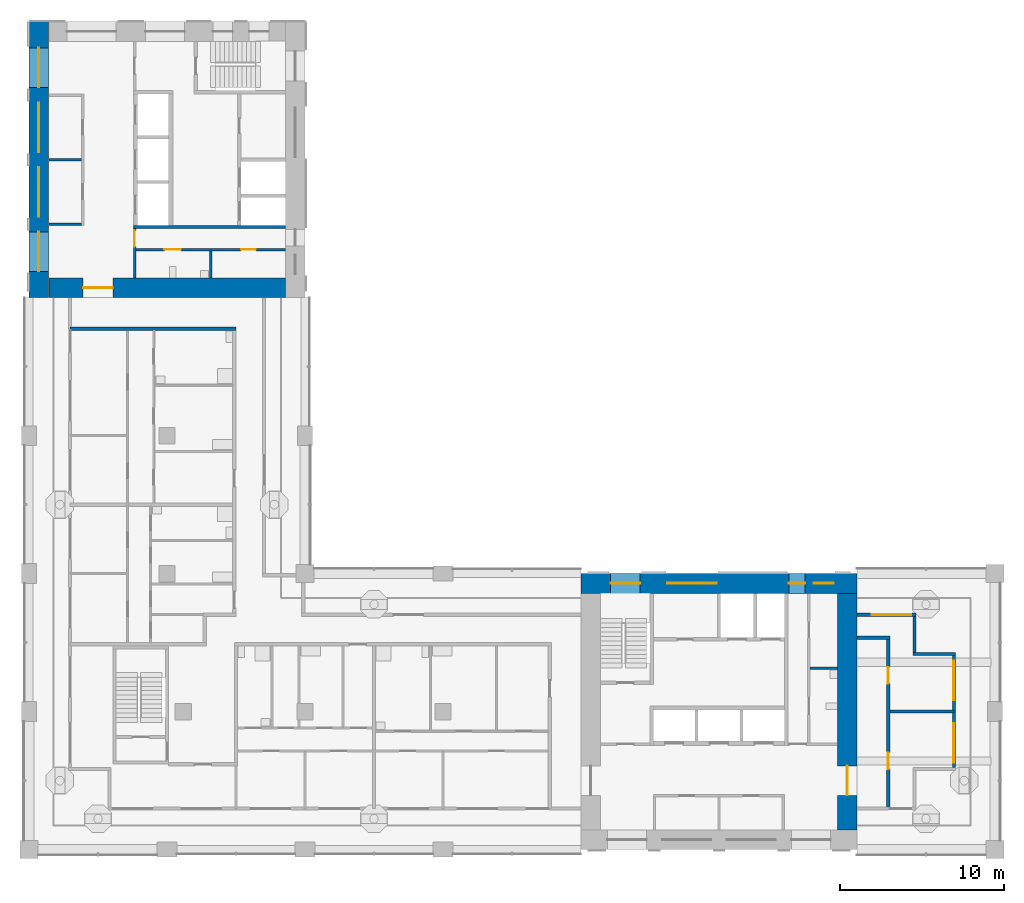
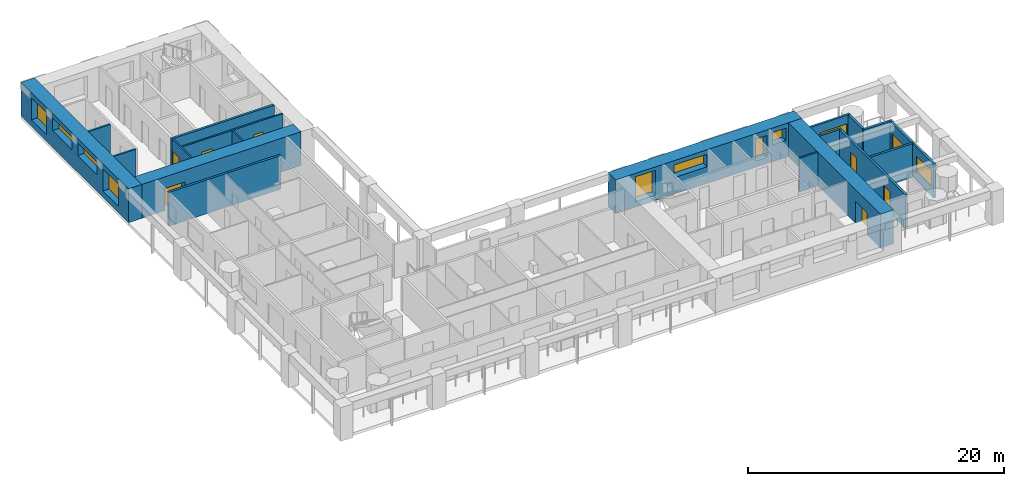
# One storey, part 5 of 13: 19 walls, 10 windows, 8 doors, 18 openings.
"""IFC4 building model written with IfcOpenShell, lengths in metres."""

from ifc_helpers import new_model, si_unit, direction, frame, frame_2d, origin, place, context, subcontext, project, spatial, rectangle, extrude, material, layer, layer_set, type_object, element, fill, save


model = new_model("IFC4")

# Units and contexts
model_context = context("Model", 3, precision=1e-05, world=origin(), true_north=direction((0.0, 1.0)))
body_context = subcontext(model_context, "Body", "Model", "MODEL_VIEW")
ifc_project = project(units=[si_unit("LENGTHUNIT", "METRE"), si_unit("AREAUNIT", "SQUARE_METRE"), si_unit("VOLUMEUNIT", "CUBIC_METRE"), si_unit("PLANEANGLEUNIT", "RADIAN"), si_unit("MASSUNIT", "GRAM", prefix="KILO")], contexts=[model_context])

# Site, building, storey
site_placement = place(None, origin())
site = spatial("IfcSite", under=ifc_project, at=site_placement, CompositionType="ELEMENT")
building_placement = place(site_placement, origin())
building = spatial("IfcBuilding", under=site, at=building_placement, Name="Vermilion Gate Residences", CompositionType="ELEMENT")
storey_placement = place(building_placement, frame((0.0, 0.0, 179.199951171875)))
storey = spatial("IfcBuildingStorey", under=building, at=storey_placement, Name="L46", CompositionType="ELEMENT", Elevation=179.199951171875)

# Walls
ifc_material_1 = material(Name="Masonry blockwork", Category="masonry")
ifc_layer_1 = layer(ifc_material_1, 0.14990234375)
ifc_layer_set_1 = layer_set([ifc_layer_1], Name="BLOCKWORK PARTITION 150 EI 120")
wall_type_1 = type_object("IfcWallType", Name="BLOCKWORK PARTITION 150 EI 120", PredefinedType="PARTITIONING", material=ifc_layer_set_1)
wall_1_placement = place(storey_placement, frame((55.949951171875, 19.449951171875, 0.0), z_axis=(0.0, 0.0, 1.0), x_axis=(1.0, 0.0, 0.0)))
element("IfcWall", 1, at=wall_1_placement, inside=storey, type_object=wall_type_1, Name="Core room partition A46-ES-P0", PredefinedType="PARTITIONING", context=body_context, shape_type="SweptSolid", body=[
    extrude(rectangle(XDim=1.650146484375, YDim=0.14990234375, at=frame_2d((0.8251953125, 0.0))), origin(), (0.0, 0.0, 1.0), 3.219970703125),
])
for number, where, z_axis, x_axis, name in (
    (2, (9.60009765625, 46.47509765625, 0.0), (0.0, 0.0, 1.0), (1.0, 0.0, 0.0), "Core room partition B46-RW-E"),
    (3, (9.60009765625, 50.39990234375, 0.0), (0.0, 0.0, 1.0), (1.0, 0.0, 0.0), "Core room partition B46-SR-P0"),
):
    element("IfcWall", number, at=place(storey_placement, frame(where, z_axis=z_axis, x_axis=x_axis)), inside=storey, type_object=wall_type_1, Name=name, PredefinedType="PARTITIONING", context=body_context, shape_type="SweptSolid", body=[
        extrude(rectangle(XDim=2.0, YDim=0.14990234375, at=frame_2d((1.0, 0.0))), origin(), (0.0, 0.0, 1.0), 3.219970703125),
    ])

# Wall, opening, door
wall_2_placement = place(storey_placement, frame((14.824951171875, 46.199951171875, 0.0), z_axis=(0.0, 0.0, 1.0), x_axis=(0.0, -1.0, 0.0)))
wall_2 = element("IfcWall", 4, at=wall_2_placement, inside=storey, type_object=wall_type_1, Name="Core room partition B46-ES-S", PredefinedType="PARTITIONING", context=body_context, shape_type="SweptSolid", body=[
    extrude(rectangle(XDim=3.0, YDim=0.14990234375, at=frame_2d((1.5, 0.0))), origin(), (0.0, 0.0, 1.0), 3.219970703125),
])
opening_1_placement = place(wall_2_placement, frame((0.10009765625, 0.0, 0.0)))
opening_1 = element("IfcOpeningElement", 5, at=opening_1_placement, cuts=wall_2, Name="Opening DK46112", PredefinedType="OPENING", context=body_context, shape_type="SweptSolid", body=[
    extrude(rectangle(XDim=1.0, YDim=2.10009765625, at=frame_2d((0.5, 1.050048828125))), frame((0.0, 0.0849609375, 0.0), z_axis=(0.0, -1.0, 0.0), x_axis=(1.0, 0.0, 0.0)), (0.0, 0.0, 1.0), 0.169921875),
])
ifc_material_2 = material(Name="Steel", Category="steel")
door_type_1 = type_object("IfcDoorType", Name="FIRE DOOR FD60 1000 X 2100", OperationType="SINGLE_SWING_LEFT", PredefinedType="DOOR", material=ifc_material_2)
door_1_placement = place(opening_1_placement, frame((1.0, 0.0, 0.0), z_axis=(0.0, 0.0, 1.0), x_axis=(-1.0, 0.0, 0.0)))
door_1 = element("IfcDoor", 6, at=door_1_placement, inside=storey, type_object=door_type_1, Name="Service corridor door B46", OperationType="SINGLE_SWING_LEFT", OverallHeight=2.10009765625, OverallWidth=1.0, PredefinedType="DOOR", context=body_context, shape_type="SweptSolid", body=[
    extrude(rectangle(XDim=1.0, YDim=2.10009765625, at=frame_2d((0.5, 1.050048828125))), frame((0.0, 0.02490234375, 0.0), z_axis=(0.0, -1.0, 0.0), x_axis=(1.0, 0.0, 0.0)), (0.0, 0.0, 1.0), 0.050048828125),
])
fill(opening_1, door_1)

# Wall
wall_3_placement = place(storey_placement, frame((19.449951171875, 44.85009765625, 0.0), z_axis=(0.0, 0.0, 1.0), x_axis=(0.0, -1.0, 0.0)))
element("IfcWall", 7, at=wall_3_placement, inside=storey, type_object=wall_type_1, Name="Core room partition B46-ES-P0", PredefinedType="PARTITIONING", context=body_context, shape_type="SweptSolid", body=[
    extrude(rectangle(XDim=1.650146484375, YDim=0.14990234375, at=frame_2d((0.8251953125, 0.0))), origin(), (0.0, 0.0, 1.0), 3.219970703125),
])

# Wall, openings, doors
wall_4_placement = place(storey_placement, frame((14.89990234375, 44.925048828125, 0.0), z_axis=(0.0, 0.0, 1.0), x_axis=(1.0, 0.0, 0.0)))
wall_4 = element("IfcWall", 8, at=wall_4_placement, inside=storey, type_object=wall_type_1, Name="Core room partition B46-ES-W", PredefinedType="PARTITIONING", context=body_context, shape_type="SweptSolid", body=[
    extrude(rectangle(XDim=9.10009765625, YDim=0.14990234375, at=frame_2d((4.550048828125, 0.0))), origin(), (0.0, 0.0, 1.0), 3.219970703125),
])
opening_2_placement = place(wall_4_placement, frame((1.737548828125, 0.0, 0.0)))
opening_2 = element("IfcOpeningElement", 9, at=opening_2_placement, cuts=wall_4, Name="Opening DK46113", PredefinedType="OPENING", context=body_context, shape_type="SweptSolid", body=[
    extrude(rectangle(XDim=1.0, YDim=2.10009765625, at=frame_2d((0.5, 1.050048828125))), frame((0.0, 0.0849609375, 0.0), z_axis=(0.0, -1.0, 0.0), x_axis=(1.0, 0.0, 0.0)), (0.0, 0.0, 1.0), 0.169921875),
])
opening_3_placement = place(wall_4_placement, frame((6.41259765625, 0.0, 0.0)))
opening_3 = element("IfcOpeningElement", 10, at=opening_3_placement, cuts=wall_4, Name="Opening DK46114", PredefinedType="OPENING", context=body_context, shape_type="SweptSolid", body=[
    extrude(rectangle(XDim=0.89990234375, YDim=2.10009765625, at=frame_2d((0.449951171875, 1.050048828125))), frame((0.0, 0.0849609375, 0.0), z_axis=(0.0, -1.0, 0.0), x_axis=(1.0, 0.0, 0.0)), (0.0, 0.0, 1.0), 0.169921875),
])
door_2_placement = place(opening_2_placement, frame((1.0, 0.0, 0.0), z_axis=(0.0, 0.0, 1.0), x_axis=(-1.0, 0.0, 0.0)))
door_2 = element("IfcDoor", 11, at=door_2_placement, inside=storey, type_object=door_type_1, Name="Accessible WC B46", OperationType="SINGLE_SWING_RIGHT", OverallHeight=2.10009765625, OverallWidth=1.0, PredefinedType="DOOR", context=body_context, shape_type="SweptSolid", body=[
    extrude(rectangle(XDim=1.0, YDim=2.10009765625, at=frame_2d((0.5, 1.050048828125))), frame((0.0, 0.02490234375, 0.0), z_axis=(0.0, -1.0, 0.0), x_axis=(1.0, 0.0, 0.0)), (0.0, 0.0, 1.0), 0.050048828125),
])
fill(opening_2, door_2)
ifc_material_3 = material(Name="Steel", Category="steel")
door_type_2 = type_object("IfcDoorType", Name="SERVICE ROOM DOOR FD60 900 X 2100", OperationType="SINGLE_SWING_LEFT", PredefinedType="DOOR", material=ifc_material_3)
door_3_placement = place(opening_3_placement, frame((0.89990234375, 0.0, 0.0), z_axis=(0.0, 0.0, 1.0), x_axis=(-1.0, 0.0, 0.0)))
door_3 = element("IfcDoor", 12, at=door_3_placement, inside=storey, type_object=door_type_2, Name="Communications room B46", OperationType="SINGLE_SWING_RIGHT", OverallHeight=2.10009765625, OverallWidth=0.89990234375, PredefinedType="DOOR", context=body_context, shape_type="SweptSolid", body=[
    extrude(rectangle(XDim=0.89990234375, YDim=2.10009765625, at=frame_2d((0.449951171875, 1.050048828125))), frame((0.0, 0.02490234375, 0.0), z_axis=(0.0, -1.0, 0.0), x_axis=(1.0, 0.0, 0.0)), (0.0, 0.0, 1.0), 0.050048828125),
])
fill(opening_3, door_3)

# Wall, openings, door, window
ifc_material_4 = material(Name="Insulated steel stud wall with terracotta rainscreen", Category="masonry")
ifc_layer_2 = layer(ifc_material_4, 0.199951171875)
ifc_layer_set_2 = layer_set([ifc_layer_2], Name="EXTERNAL WALL 200 TERRACOTTA RAINSCREEN")
wall_type_2 = type_object("IfcWallType", Name="EXTERNAL WALL 200 TERRACOTTA RAINSCREEN", PredefinedType="SOLIDWALL", material=ifc_layer_set_2)
wall_5_placement = place(storey_placement, frame((64.699951171875, 13.39990234375, 0.0), z_axis=(0.0, 0.0, 1.0), x_axis=(0.0, 1.0, 0.0)))
wall_5 = element("IfcWall", 13, at=wall_5_placement, inside=storey, type_object=wall_type_2, Name="External wall", PredefinedType="SOLIDWALL", context=body_context, shape_type="SweptSolid", body=[
    extrude(rectangle(XDim=6.800048828125, YDim=0.199951171875, at=frame_2d((3.39990234375, 0.0))), origin(), (0.0, 0.0, 1.0), 3.219970703125),
])
opening_4_placement = place(wall_5_placement, frame((0.300048828125, 0.0, 0.89990234375)))
opening_4 = element("IfcOpeningElement", 14, at=opening_4_placement, cuts=wall_5, Name="Opening WE46016", PredefinedType="OPENING", context=body_context, shape_type="SweptSolid", body=[
    extrude(rectangle(XDim=2.39990234375, YDim=1.5, at=frame_2d((1.199951171875, 0.75))), frame((0.0, 0.10986328125, 0.0), z_axis=(0.0, -1.0, 0.0), x_axis=(1.0, 0.0, 0.0)), (0.0, 0.0, 1.0), 0.219970703125),
])
opening_5_placement = place(wall_5_placement, frame((4.10009765625, 0.0, 0.0)))
opening_5 = element("IfcOpeningElement", 15, at=opening_5_placement, cuts=wall_5, Name="Opening DE46019", PredefinedType="OPENING", context=body_context, shape_type="SweptSolid", body=[
    extrude(rectangle(XDim=2.39990234375, YDim=2.199951171875, at=frame_2d((1.199951171875, 1.10009765625))), frame((0.0, 0.10986328125, 0.0), z_axis=(0.0, -1.0, 0.0), x_axis=(1.0, 0.0, 0.0)), (0.0, 0.0, 1.0), 0.219970703125),
])
ifc_material_5 = material(Name="Aluminium and clear glass", Category="aluminium")
door_type_3 = type_object("IfcDoorType", Name="SLIDING GLAZED DOOR 2400 X 2200", OperationType="DOUBLE_DOOR_SLIDING", PredefinedType="DOOR", material=ifc_material_5)
door_4_placement = place(opening_5_placement, origin())
door_4 = element("IfcDoor", 16, at=door_4_placement, inside=storey, type_object=door_type_3, Name="Loggia sliding door", OperationType="DOUBLE_DOOR_SLIDING", OverallHeight=2.199951171875, OverallWidth=2.39990234375, PredefinedType="DOOR", context=body_context, shape_type="SweptSolid", body=[
    extrude(rectangle(XDim=2.39990234375, YDim=2.199951171875, at=frame_2d((1.199951171875, 1.10009765625))), frame((0.0, 0.02490234375, 0.0), z_axis=(0.0, -1.0, 0.0), x_axis=(1.0, 0.0, 0.0)), (0.0, 0.0, 1.0), 0.050048828125),
])
fill(opening_5, door_4)
ifc_material_6 = material(Name="Aluminium and clear glass", Category="aluminium")
window_type_1 = type_object("IfcWindowType", Name="WINDOW 2400 X 1500", PartitioningType="SINGLE_PANEL", PredefinedType="WINDOW", material=ifc_material_6)
window_1_placement = place(opening_4_placement, origin())
window_1 = element("IfcWindow", 17, at=window_1_placement, inside=storey, type_object=window_type_1, Name="Window", OverallHeight=1.5, OverallWidth=2.39990234375, PartitioningType="SINGLE_PANEL", PredefinedType="WINDOW", context=body_context, shape_type="SweptSolid", body=[
    extrude(rectangle(XDim=2.39990234375, YDim=1.5, at=frame_2d((1.199951171875, 0.75))), frame((0.0, 0.030029296875, 0.0), z_axis=(0.0, -1.0, 0.0), x_axis=(1.0, 0.0, 0.0)), (0.0, 0.0, 1.0), 0.06005859375),
])
fill(opening_4, window_1)

# Walls
wall_6_placement = place(storey_placement, frame((64.800048828125, 20.300048828125, 0.0), z_axis=(0.0, 0.0, 1.0), x_axis=(-1.0, 0.0, 0.0)))
element("IfcWall", 18, at=wall_6_placement, inside=storey, type_object=wall_type_2, Name="External wall", PredefinedType="SOLIDWALL", context=body_context, shape_type="SweptSolid", body=[
    extrude(rectangle(XDim=2.60009765625, YDim=0.199951171875, at=frame_2d((1.300048828125, 0.0))), origin(), (0.0, 0.0, 1.0), 3.219970703125),
])
wall_7_placement = place(storey_placement, frame((62.300048828125, 20.39990234375, 0.0), z_axis=(0.0, 0.0, 1.0), x_axis=(0.0, 1.0, 0.0)))
element("IfcWall", 19, at=wall_7_placement, inside=storey, type_object=wall_type_2, Name="External wall", PredefinedType="SOLIDWALL", context=body_context, shape_type="SweptSolid", body=[
    extrude(rectangle(XDim=2.2001953125, YDim=0.199951171875, at=frame_2d((1.10009765625, 0.0))), origin(), (0.0, 0.0, 1.0), 3.219970703125),
])

# Wall, opening, window
wall_8_placement = place(storey_placement, frame((62.39990234375, 22.699951171875, 0.0), z_axis=(0.0, 0.0, 1.0), x_axis=(-1.0, 0.0, 0.0)))
wall_8 = element("IfcWall", 20, at=wall_8_placement, inside=storey, type_object=wall_type_2, Name="External wall", PredefinedType="SOLIDWALL", context=body_context, shape_type="SweptSolid", body=[
    extrude(rectangle(XDim=3.599853515625, YDim=0.199951171875, at=frame_2d((1.7998046875, 0.0))), origin(), (0.0, 0.0, 1.0), 3.219970703125),
])
opening_6_placement = place(wall_8_placement, frame((0.300048828125, 0.0, 0.89990234375)))
opening_6 = element("IfcOpeningElement", 21, at=opening_6_placement, cuts=wall_8, Name="Opening WE46018", PredefinedType="OPENING", context=body_context, shape_type="SweptSolid", body=[
    extrude(rectangle(XDim=2.39990234375, YDim=1.5, at=frame_2d((1.199951171875, 0.75))), frame((0.0, 0.10986328125, 0.0), z_axis=(0.0, -1.0, 0.0), x_axis=(1.0, 0.0, 0.0)), (0.0, 0.0, 1.0), 0.219970703125),
])
window_2_placement = place(opening_6_placement, origin())
window_2 = element("IfcWindow", 22, at=window_2_placement, inside=storey, type_object=window_type_1, Name="Window", OverallHeight=1.5, OverallWidth=2.39990234375, PartitioningType="SINGLE_PANEL", PredefinedType="WINDOW", context=body_context, shape_type="SweptSolid", body=[
    extrude(rectangle(XDim=2.39990234375, YDim=1.5, at=frame_2d((1.199951171875, 0.75))), frame((0.0, 0.030029296875, 0.0), z_axis=(0.0, -1.0, 0.0), x_axis=(1.0, 0.0, 0.0)), (0.0, 0.0, 1.0), 0.06005859375),
])
fill(opening_6, window_2)

# Walls
ifc_material_7 = material(Name="Fire-rated plasterboard on steel studs", Category="steel")
ifc_layer_3 = layer(ifc_material_7, 0.199951171875)
ifc_layer_set_3 = layer_set([ifc_layer_3], Name="PARTY WALL 200 EI 120")
wall_type_3 = type_object("IfcWallType", Name="PARTY WALL 200 EI 120", PredefinedType="PARTITIONING", material=ifc_layer_set_3)
wall_9_placement = place(storey_placement, frame((60.800048828125, 16.800048828125, 0.0), z_axis=(0.0, 0.0, 1.0), x_axis=(1.0, 0.0, 0.0)))
element("IfcWall", 23, at=wall_9_placement, inside=storey, type_object=wall_type_3, Name="Party and corridor wall", PredefinedType="PARTITIONING", context=body_context, shape_type="SweptSolid", body=[
    extrude(rectangle(XDim=3.89990234375, YDim=0.199951171875, at=frame_2d((1.949951171875, 0.0))), origin(), (0.0, 0.0, 1.0), 3.219970703125),
])
wall_10_placement = place(storey_placement, frame((58.800048828125, 21.300048828125, 0.0), z_axis=(0.0, 0.0, 1.0), x_axis=(1.0, 0.0, 0.0)))
element("IfcWall", 24, at=wall_10_placement, inside=storey, type_object=wall_type_3, Name="Party and corridor wall", PredefinedType="PARTITIONING", context=body_context, shape_type="SweptSolid", body=[
    extrude(rectangle(XDim=2.0, YDim=0.199951171875, at=frame_2d((1.0, 0.0))), origin(), (0.0, 0.0, 1.0), 3.219970703125),
])
wall_11_placement = place(storey_placement, frame((10.89990234375, 40.10009765625, 0.0), z_axis=(0.0, 0.0, 1.0), x_axis=(1.0, 0.0, 0.0)))
element("IfcWall", 25, at=wall_11_placement, inside=storey, type_object=wall_type_3, Name="Party and corridor wall", PredefinedType="PARTITIONING", context=body_context, shape_type="SweptSolid", body=[
    extrude(rectangle(XDim=10.10009765625, YDim=0.199951171875, at=frame_2d((5.050048828125, 0.0))), origin(), (0.0, 0.0, 1.0), 3.219970703125),
])

# Wall, openings, doors
wall_12_placement = place(storey_placement, frame((60.699951171875, 10.89990234375, 0.0), z_axis=(0.0, 0.0, 1.0), x_axis=(0.0, 1.0, 0.0)))
wall_12 = element("IfcWall", 26, at=wall_12_placement, inside=storey, type_object=wall_type_3, Name="Party and corridor wall", PredefinedType="PARTITIONING", context=body_context, shape_type="SweptSolid", body=[
    extrude(rectangle(XDim=10.300048828125, YDim=0.199951171875, at=frame_2d((5.14990234375, 0.0))), origin(), (0.0, 0.0, 1.0), 3.219970703125),
])
opening_7_placement = place(wall_12_placement, frame((2.39990234375, 0.0, 0.0)))
opening_7 = element("IfcOpeningElement", 27, at=opening_7_placement, cuts=wall_12, Name="Opening DA46028", PredefinedType="OPENING", context=body_context, shape_type="SweptSolid", body=[
    extrude(rectangle(XDim=1.0, YDim=2.10009765625, at=frame_2d((0.5, 1.050048828125))), frame((0.0, 0.10986328125, 0.0), z_axis=(0.0, -1.0, 0.0), x_axis=(1.0, 0.0, 0.0)), (0.0, 0.0, 1.0), 0.219970703125),
])
opening_8_placement = place(wall_12_placement, frame((7.60009765625, 0.0, 0.0)))
opening_8 = element("IfcOpeningElement", 28, at=opening_8_placement, cuts=wall_12, Name="Opening DA46029", PredefinedType="OPENING", context=body_context, shape_type="SweptSolid", body=[
    extrude(rectangle(XDim=1.0, YDim=2.10009765625, at=frame_2d((0.5, 1.050048828125))), frame((0.0, 0.10986328125, 0.0), z_axis=(0.0, -1.0, 0.0), x_axis=(1.0, 0.0, 0.0)), (0.0, 0.0, 1.0), 0.219970703125),
])
ifc_material_8 = material(Name="Steel", Category="steel")
door_type_4 = type_object("IfcDoorType", Name="ENTRANCE DOOR 1000 X 2100 FD30", OperationType="SINGLE_SWING_LEFT", PredefinedType="DOOR", material=ifc_material_8)
door_5_placement = place(opening_7_placement, frame((1.0, 0.0, 0.0), z_axis=(0.0, 0.0, 1.0), x_axis=(-1.0, 0.0, 0.0)))
door_5 = element("IfcDoor", 29, at=door_5_placement, inside=storey, type_object=door_type_4, Name="Entrance door", OperationType="SINGLE_SWING_RIGHT", OverallHeight=2.10009765625, OverallWidth=1.0, PredefinedType="DOOR", context=body_context, shape_type="SweptSolid", body=[
    extrude(rectangle(XDim=1.0, YDim=2.10009765625, at=frame_2d((0.5, 1.050048828125))), frame((0.0, 0.02490234375, 0.0), z_axis=(0.0, -1.0, 0.0), x_axis=(1.0, 0.0, 0.0)), (0.0, 0.0, 1.0), 0.050048828125),
])
fill(opening_7, door_5)
door_6_placement = place(opening_8_placement, frame((1.0, 0.0, 0.0), z_axis=(0.0, 0.0, 1.0), x_axis=(-1.0, 0.0, 0.0)))
door_6 = element("IfcDoor", 30, at=door_6_placement, inside=storey, type_object=door_type_4, Name="Entrance door", OperationType="SINGLE_SWING_RIGHT", OverallHeight=2.10009765625, OverallWidth=1.0, PredefinedType="DOOR", context=body_context, shape_type="SweptSolid", body=[
    extrude(rectangle(XDim=1.0, YDim=2.10009765625, at=frame_2d((0.5, 1.050048828125))), frame((0.0, 0.02490234375, 0.0), z_axis=(0.0, -1.0, 0.0), x_axis=(1.0, 0.0, 0.0)), (0.0, 0.0, 1.0), 0.050048828125),
])
fill(opening_8, door_6)

# Wall
ifc_material_9 = material(Name="Concrete C60", Category="concrete")
ifc_layer_4 = layer(ifc_material_9, 0.199951171875)
ifc_layer_set_4 = layer_set([ifc_layer_4], Name="RC CORE INTERNAL WALL 200 C60")
wall_type_4 = type_object("IfcWallType", Name="RC CORE INTERNAL WALL 200 C60", PredefinedType="SHEAR", material=ifc_layer_set_4)
wall_13_placement = place(storey_placement, frame((14.75, 46.300048828125, 0.0), z_axis=(0.0, 0.0, 1.0), x_axis=(1.0, 0.0, 0.0)))
element("IfcWall", 31, at=wall_13_placement, inside=storey, type_object=wall_type_4, Name="Core internal wall B46-EDIV", PredefinedType="SHEAR", context=body_context, shape_type="SweptSolid", body=[
    extrude(rectangle(XDim=9.25, YDim=0.199951171875, at=frame_2d((4.625, 0.0))), origin(), (0.0, 0.0, 1.0), 3.219970703125),
])

# Wall, opening, door
ifc_material_10 = material(Name="Concrete C60", Category="concrete")
ifc_layer_5 = layer(ifc_material_10, 1.199951171875)
ifc_layer_set_5 = layer_set([ifc_layer_5], Name="RC CORE WALL 1200 C60")
wall_type_5 = type_object("IfcWallType", Name="RC CORE WALL 1200 C60", PredefinedType="SHEAR", material=ifc_layer_set_5)
wall_14_placement = place(storey_placement, frame((58.199951171875, 9.60009765625, 0.0), z_axis=(0.0, 0.0, 1.0), x_axis=(0.0, 1.0, 0.0)))
wall_14 = element("IfcWall", 32, at=wall_14_placement, inside=storey, type_object=wall_type_5, Name="Core wall A46-OUT-BK", PredefinedType="SHEAR", context=body_context, shape_type="SweptSolid", body=[
    extrude(rectangle(XDim=14.39990234375, YDim=1.199951171875, at=frame_2d((7.199951171875, 0.0))), origin(), (0.0, 0.0, 1.0), 3.219970703125),
])
opening_9_placement = place(wall_14_placement, frame((2.10009765625, 0.0, 0.0)))
opening_9 = element("IfcOpeningElement", 33, at=opening_9_placement, cuts=wall_14, Name="Opening DK46002", PredefinedType="OPENING", context=body_context, shape_type="SweptSolid", body=[
    extrude(rectangle(XDim=1.800048828125, YDim=2.10009765625, at=frame_2d((0.89990234375, 1.050048828125))), frame((0.0, 0.60986328125, 0.0), z_axis=(0.0, -1.0, 0.0), x_axis=(1.0, 0.0, 0.0)), (0.0, 0.0, 1.0), 1.219970703125),
])
ifc_material_11 = material(Name="Steel", Category="steel")
door_type_5 = type_object("IfcDoorType", Name="CORE LOBBY DOOR FD60 1800 X 2100", OperationType="DOUBLE_DOOR_SINGLE_SWING", PredefinedType="DOOR", material=ifc_material_11)
door_7_placement = place(opening_9_placement, origin())
door_7 = element("IfcDoor", 34, at=door_7_placement, inside=storey, type_object=door_type_5, Name="Core lobby door A46", OperationType="DOUBLE_DOOR_SINGLE_SWING", OverallHeight=2.10009765625, OverallWidth=1.800048828125, PredefinedType="DOOR", context=body_context, shape_type="SweptSolid", body=[
    extrude(rectangle(XDim=1.800048828125, YDim=2.10009765625, at=frame_2d((0.89990234375, 1.050048828125))), frame((0.0, 0.02490234375, 0.0), z_axis=(0.0, -1.0, 0.0), x_axis=(1.0, 0.0, 0.0)), (0.0, 0.0, 1.0), 0.050048828125),
])
fill(opening_9, door_7)

wall_15_placement = place(storey_placement, frame((9.60009765625, 42.60009765625, 0.0), z_axis=(0.0, 0.0, 1.0), x_axis=(1.0, 0.0, 0.0)))
wall_15 = element("IfcWall", 35, at=wall_15_placement, inside=storey, type_object=wall_type_5, Name="Core wall B46-OUT-BK", PredefinedType="SHEAR", context=body_context, shape_type="SweptSolid", body=[
    extrude(rectangle(XDim=14.39990234375, YDim=1.199951171875, at=frame_2d((7.199951171875, 0.0))), origin(), (0.0, 0.0, 1.0), 3.219970703125),
])
opening_10_placement = place(wall_15_placement, frame((2.10009765625, 0.0, 0.0)))
opening_10 = element("IfcOpeningElement", 36, at=opening_10_placement, cuts=wall_15, Name="Opening DK46101", PredefinedType="OPENING", context=body_context, shape_type="SweptSolid", body=[
    extrude(rectangle(XDim=1.800048828125, YDim=2.10009765625, at=frame_2d((0.89990234375, 1.050048828125))), frame((0.0, 0.60986328125, 0.0), z_axis=(0.0, -1.0, 0.0), x_axis=(1.0, 0.0, 0.0)), (0.0, 0.0, 1.0), 1.219970703125),
])
door_8_placement = place(opening_10_placement, frame((1.800048828125, 0.0, 0.0), z_axis=(0.0, 0.0, 1.0), x_axis=(-1.0, 0.0, 0.0)))
door_8 = element("IfcDoor", 37, at=door_8_placement, inside=storey, type_object=door_type_5, Name="Core lobby door B46", OperationType="DOUBLE_DOOR_SINGLE_SWING", OverallHeight=2.10009765625, OverallWidth=1.800048828125, PredefinedType="DOOR", context=body_context, shape_type="SweptSolid", body=[
    extrude(rectangle(XDim=1.800048828125, YDim=2.10009765625, at=frame_2d((0.89990234375, 1.050048828125))), frame((0.0, 0.02490234375, 0.0), z_axis=(0.0, -1.0, 0.0), x_axis=(1.0, 0.0, 0.0)), (0.0, 0.0, 1.0), 0.050048828125),
])
fill(opening_10, door_8)

# Wall, openings, windows
ifc_material_12 = material(Name="Concrete C60 red-oxide pigmented", Category="concrete")
ifc_layer_6 = layer(ifc_material_12, 1.199951171875)
ifc_layer_set_6 = layer_set([ifc_layer_6], Name="RC CORE WALL 1200 C60 RED OXIDE")
wall_type_6 = type_object("IfcWallType", Name="RC CORE WALL 1200 C60 RED OXIDE", PredefinedType="SHEAR", material=ifc_layer_set_6)
wall_16_placement = place(storey_placement, frame((42.0, 24.60009765625, 0.0), z_axis=(0.0, 0.0, 1.0), x_axis=(1.0, 0.0, 0.0)))
wall_16 = element("IfcWall", 38, at=wall_16_placement, inside=storey, type_object=wall_type_6, Name="Core wall A46-OUT-B1", PredefinedType="SHEAR", context=body_context, shape_type="SweptSolid", body=[
    extrude(rectangle(XDim=16.800048828125, YDim=1.199951171875, at=frame_2d((8.39990234375, 0.0))), origin(), (0.0, 0.0, 1.0), 3.219970703125),
])
opening_11_placement = place(wall_16_placement, frame((1.800048828125, 0.0, 0.5)))
opening_11 = element("IfcOpeningElement", 39, at=opening_11_placement, cuts=wall_16, Name="Opening WKA4605", PredefinedType="OPENING", context=body_context, shape_type="SweptSolid", body=[
    extrude(rectangle(XDim=1.800048828125, YDim=2.39990234375, at=frame_2d((0.89990234375, 1.199951171875))), frame((0.0, 0.60986328125, 0.0), z_axis=(0.0, -1.0, 0.0), x_axis=(1.0, 0.0, 0.0)), (0.0, 0.0, 1.0), 1.219970703125),
])
opening_12_placement = place(wall_16_placement, frame((5.25, 0.0, 1.60009765625)))
opening_12 = element("IfcOpeningElement", 40, at=opening_12_placement, cuts=wall_16, Name="Opening WKA4606", PredefinedType="OPENING", context=body_context, shape_type="SweptSolid", body=[
    extrude(rectangle(XDim=3.0, YDim=1.199951171875, at=frame_2d((1.5, 0.60009765625))), frame((0.0, 0.60986328125, 0.0), z_axis=(0.0, -1.0, 0.0), x_axis=(1.0, 0.0, 0.0)), (0.0, 0.0, 1.0), 1.219970703125),
])
opening_13_placement = place(wall_16_placement, frame((12.64990234375, 0.0, 0.60009765625)))
opening_13 = element("IfcOpeningElement", 41, at=opening_13_placement, cuts=wall_16, Name="Opening WKA4607", PredefinedType="OPENING", context=body_context, shape_type="SweptSolid", body=[
    extrude(rectangle(XDim=1.0, YDim=2.10009765625, at=frame_2d((0.5, 1.050048828125))), frame((0.0, 0.60986328125, 0.0), z_axis=(0.0, -1.0, 0.0), x_axis=(1.0, 0.0, 0.0)), (0.0, 0.0, 1.0), 1.219970703125),
])
opening_14_placement = place(wall_16_placement, frame((14.175048828125, 0.0, 1.60009765625)))
opening_14 = element("IfcOpeningElement", 42, at=opening_14_placement, cuts=wall_16, Name="Opening WKA4608", PredefinedType="OPENING", context=body_context, shape_type="SweptSolid", body=[
    extrude(rectangle(XDim=1.199951171875, YDim=1.199951171875, at=frame_2d((0.60009765625, 0.60009765625))), frame((0.0, 0.60986328125, 0.0), z_axis=(0.0, -1.0, 0.0), x_axis=(1.0, 0.0, 0.0)), (0.0, 0.0, 1.0), 1.219970703125),
])
ifc_material_13 = material(Name="Aluminium and clear glass", Category="aluminium")
window_type_2 = type_object("IfcWindowType", Name="CORE CORRIDOR WINDOW 1000 X 2100", PartitioningType="SINGLE_PANEL", PredefinedType="WINDOW", material=ifc_material_13)
window_3_placement = place(opening_13_placement, origin())
window_3 = element("IfcWindow", 43, at=window_3_placement, inside=storey, type_object=window_type_2, Name="Core corridor window", OverallHeight=2.10009765625, OverallWidth=1.0, PartitioningType="SINGLE_PANEL", PredefinedType="WINDOW", context=body_context, shape_type="SweptSolid", body=[
    extrude(rectangle(XDim=1.0, YDim=2.10009765625, at=frame_2d((0.5, 1.050048828125))), frame((0.0, 0.030029296875, 0.0), z_axis=(0.0, -1.0, 0.0), x_axis=(1.0, 0.0, 0.0)), (0.0, 0.0, 1.0), 0.06005859375),
])
fill(opening_13, window_3)
ifc_material_14 = material(Name="Aluminium frame with louvre blades", Category="aluminium")
window_type_3 = type_object("IfcWindowType", Name="CORE LOUVRE 1200 X 1200", PartitioningType="SINGLE_PANEL", PredefinedType="WINDOW", material=ifc_material_14)
window_4_placement = place(opening_14_placement, origin())
window_4 = element("IfcWindow", 44, at=window_4_placement, inside=storey, type_object=window_type_3, Name="Core louvre", OverallHeight=1.199951171875, OverallWidth=1.199951171875, PartitioningType="SINGLE_PANEL", PredefinedType="WINDOW", context=body_context, shape_type="SweptSolid", body=[
    extrude(rectangle(XDim=1.199951171875, YDim=1.199951171875, at=frame_2d((0.60009765625, 0.60009765625))), frame((0.0, 0.030029296875, 0.0), z_axis=(0.0, -1.0, 0.0), x_axis=(1.0, 0.0, 0.0)), (0.0, 0.0, 1.0), 0.06005859375),
])
fill(opening_14, window_4)
ifc_material_15 = material(Name="Aluminium frame with louvre blades", Category="aluminium")
window_type_4 = type_object("IfcWindowType", Name="CORE LOUVRE 3000 X 1200", PartitioningType="SINGLE_PANEL", PredefinedType="WINDOW", material=ifc_material_15)
window_5_placement = place(opening_12_placement, origin())
window_5 = element("IfcWindow", 45, at=window_5_placement, inside=storey, type_object=window_type_4, Name="Core louvre", OverallHeight=1.199951171875, OverallWidth=3.0, PartitioningType="SINGLE_PANEL", PredefinedType="WINDOW", context=body_context, shape_type="SweptSolid", body=[
    extrude(rectangle(XDim=3.0, YDim=1.199951171875, at=frame_2d((1.5, 0.60009765625))), frame((0.0, 0.030029296875, 0.0), z_axis=(0.0, -1.0, 0.0), x_axis=(1.0, 0.0, 0.0)), (0.0, 0.0, 1.0), 0.06005859375),
])
fill(opening_12, window_5)
ifc_material_16 = material(Name="Aluminium and clear glass", Category="aluminium")
window_type_5 = type_object("IfcWindowType", Name="CORE STAIR WINDOW 1800 X 2400", PartitioningType="SINGLE_PANEL", PredefinedType="WINDOW", material=ifc_material_16)
window_6_placement = place(opening_11_placement, origin())
window_6 = element("IfcWindow", 46, at=window_6_placement, inside=storey, type_object=window_type_5, Name="Core stair window", OverallHeight=2.39990234375, OverallWidth=1.800048828125, PartitioningType="SINGLE_PANEL", PredefinedType="WINDOW", context=body_context, shape_type="SweptSolid", body=[
    extrude(rectangle(XDim=1.800048828125, YDim=2.39990234375, at=frame_2d((0.89990234375, 1.199951171875))), frame((0.0, 0.030029296875, 0.0), z_axis=(0.0, -1.0, 0.0), x_axis=(1.0, 0.0, 0.0)), (0.0, 0.0, 1.0), 0.06005859375),
])
fill(opening_11, window_6)

wall_17_placement = place(storey_placement, frame((9.0, 58.800048828125, 0.0), z_axis=(0.0, 0.0, 1.0), x_axis=(0.0, -1.0, 0.0)))
wall_17 = element("IfcWall", 47, at=wall_17_placement, inside=storey, type_object=wall_type_6, Name="Core wall B46-OUT-B0", PredefinedType="SHEAR", context=body_context, shape_type="SweptSolid", body=[
    extrude(rectangle(XDim=16.800048828125, YDim=1.199951171875, at=frame_2d((8.39990234375, 0.0))), origin(), (0.0, 0.0, 1.0), 3.219970703125),
])
opening_15_placement = place(wall_17_placement, frame((1.60009765625, 0.0, 0.60009765625)))
opening_15 = element("IfcOpeningElement", 48, at=opening_15_placement, cuts=wall_17, Name="Opening WKB4601", PredefinedType="OPENING", context=body_context, shape_type="SweptSolid", body=[
    extrude(rectangle(XDim=2.39990234375, YDim=2.10009765625, at=frame_2d((1.199951171875, 1.050048828125))), frame((0.0, 0.60986328125, 0.0), z_axis=(0.0, -1.0, 0.0), x_axis=(1.0, 0.0, 0.0)), (0.0, 0.0, 1.0), 1.219970703125),
])
opening_16_placement = place(wall_17_placement, frame((4.9375, 0.0, 1.60009765625)))
opening_16 = element("IfcOpeningElement", 49, at=opening_16_placement, cuts=wall_17, Name="Opening WKB4602", PredefinedType="OPENING", context=body_context, shape_type="SweptSolid", body=[
    extrude(rectangle(XDim=3.0, YDim=1.199951171875, at=frame_2d((1.5, 0.60009765625))), frame((0.0, 0.60986328125, 0.0), z_axis=(0.0, -1.0, 0.0), x_axis=(1.0, 0.0, 0.0)), (0.0, 0.0, 1.0), 1.219970703125),
])
opening_17_placement = place(wall_17_placement, frame((8.862548828125, 0.0, 1.60009765625)))
opening_17 = element("IfcOpeningElement", 50, at=opening_17_placement, cuts=wall_17, Name="Opening WKB4603", PredefinedType="OPENING", context=body_context, shape_type="SweptSolid", body=[
    extrude(rectangle(XDim=3.0, YDim=1.199951171875, at=frame_2d((1.5, 0.60009765625))), frame((0.0, 0.60986328125, 0.0), z_axis=(0.0, -1.0, 0.0), x_axis=(1.0, 0.0, 0.0)), (0.0, 0.0, 1.0), 1.219970703125),
])
opening_18_placement = place(wall_17_placement, frame((12.800048828125, 0.0, 0.60009765625)))
opening_18 = element("IfcOpeningElement", 51, at=opening_18_placement, cuts=wall_17, Name="Opening WKB4604", PredefinedType="OPENING", context=body_context, shape_type="SweptSolid", body=[
    extrude(rectangle(XDim=2.39990234375, YDim=2.10009765625, at=frame_2d((1.199951171875, 1.050048828125))), frame((0.0, 0.60986328125, 0.0), z_axis=(0.0, -1.0, 0.0), x_axis=(1.0, 0.0, 0.0)), (0.0, 0.0, 1.0), 1.219970703125),
])
ifc_material_17 = material(Name="Aluminium and clear glass", Category="aluminium")
window_type_6 = type_object("IfcWindowType", Name="CORE LOBBY WINDOW 2400 X 2100", PartitioningType="SINGLE_PANEL", PredefinedType="WINDOW", material=ifc_material_17)
window_7_placement = place(opening_15_placement, origin())
window_7 = element("IfcWindow", 52, at=window_7_placement, inside=storey, type_object=window_type_6, Name="Core lobby window", OverallHeight=2.10009765625, OverallWidth=2.39990234375, PartitioningType="SINGLE_PANEL", PredefinedType="WINDOW", context=body_context, shape_type="SweptSolid", body=[
    extrude(rectangle(XDim=2.39990234375, YDim=2.10009765625, at=frame_2d((1.199951171875, 1.050048828125))), frame((0.0, 0.030029296875, 0.0), z_axis=(0.0, -1.0, 0.0), x_axis=(1.0, 0.0, 0.0)), (0.0, 0.0, 1.0), 0.06005859375),
])
fill(opening_15, window_7)
window_8_placement = place(opening_18_placement, origin())
window_8 = element("IfcWindow", 53, at=window_8_placement, inside=storey, type_object=window_type_6, Name="Core lobby window", OverallHeight=2.10009765625, OverallWidth=2.39990234375, PartitioningType="SINGLE_PANEL", PredefinedType="WINDOW", context=body_context, shape_type="SweptSolid", body=[
    extrude(rectangle(XDim=2.39990234375, YDim=2.10009765625, at=frame_2d((1.199951171875, 1.050048828125))), frame((0.0, 0.030029296875, 0.0), z_axis=(0.0, -1.0, 0.0), x_axis=(1.0, 0.0, 0.0)), (0.0, 0.0, 1.0), 0.06005859375),
])
fill(opening_18, window_8)
window_9_placement = place(opening_16_placement, origin())
window_9 = element("IfcWindow", 54, at=window_9_placement, inside=storey, type_object=window_type_4, Name="Core louvre", OverallHeight=1.199951171875, OverallWidth=3.0, PartitioningType="SINGLE_PANEL", PredefinedType="WINDOW", context=body_context, shape_type="SweptSolid", body=[
    extrude(rectangle(XDim=3.0, YDim=1.199951171875, at=frame_2d((1.5, 0.60009765625))), frame((0.0, 0.030029296875, 0.0), z_axis=(0.0, -1.0, 0.0), x_axis=(1.0, 0.0, 0.0)), (0.0, 0.0, 1.0), 0.06005859375),
])
fill(opening_16, window_9)
window_10_placement = place(opening_17_placement, origin())
window_10 = element("IfcWindow", 55, at=window_10_placement, inside=storey, type_object=window_type_4, Name="Core louvre", OverallHeight=1.199951171875, OverallWidth=3.0, PartitioningType="SINGLE_PANEL", PredefinedType="WINDOW", context=body_context, shape_type="SweptSolid", body=[
    extrude(rectangle(XDim=3.0, YDim=1.199951171875, at=frame_2d((1.5, 0.60009765625))), frame((0.0, 0.030029296875, 0.0), z_axis=(0.0, -1.0, 0.0), x_axis=(1.0, 0.0, 0.0)), (0.0, 0.0, 1.0), 0.06005859375),
])
fill(opening_17, window_10)

save(model, "model.ifc")
